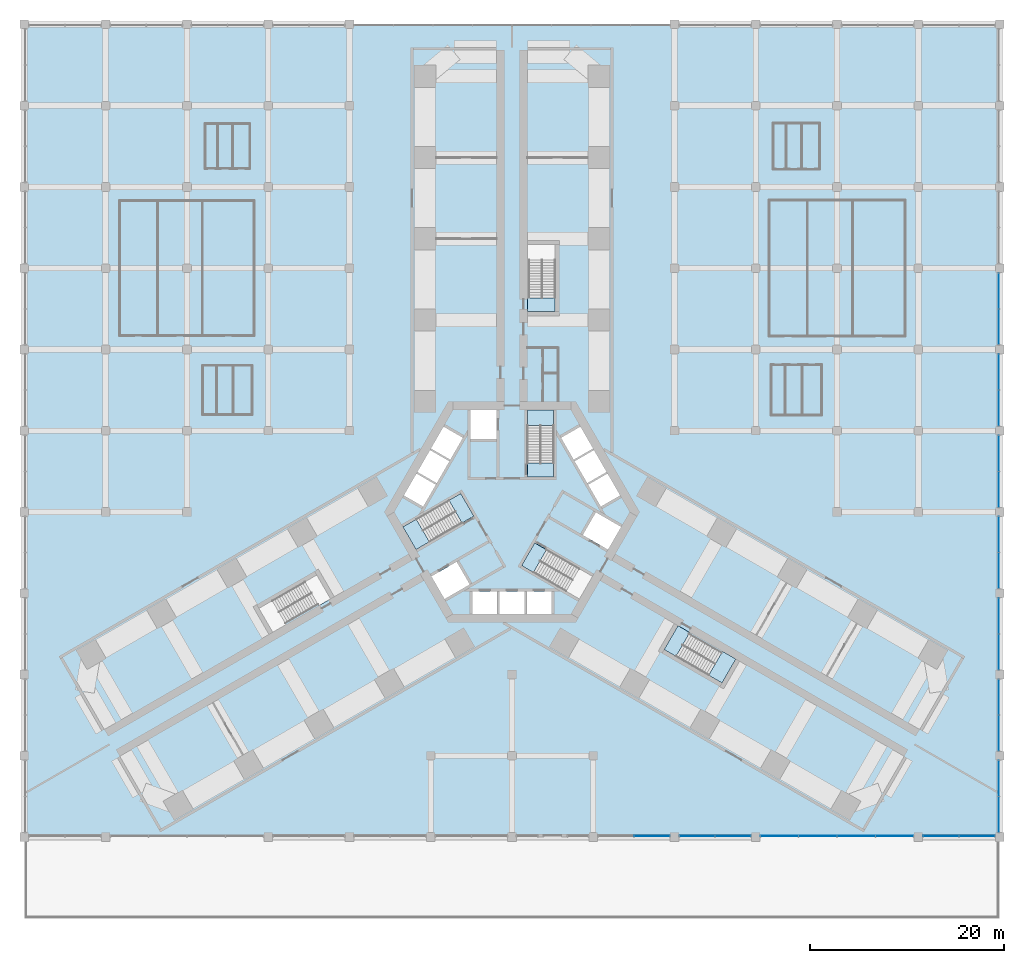
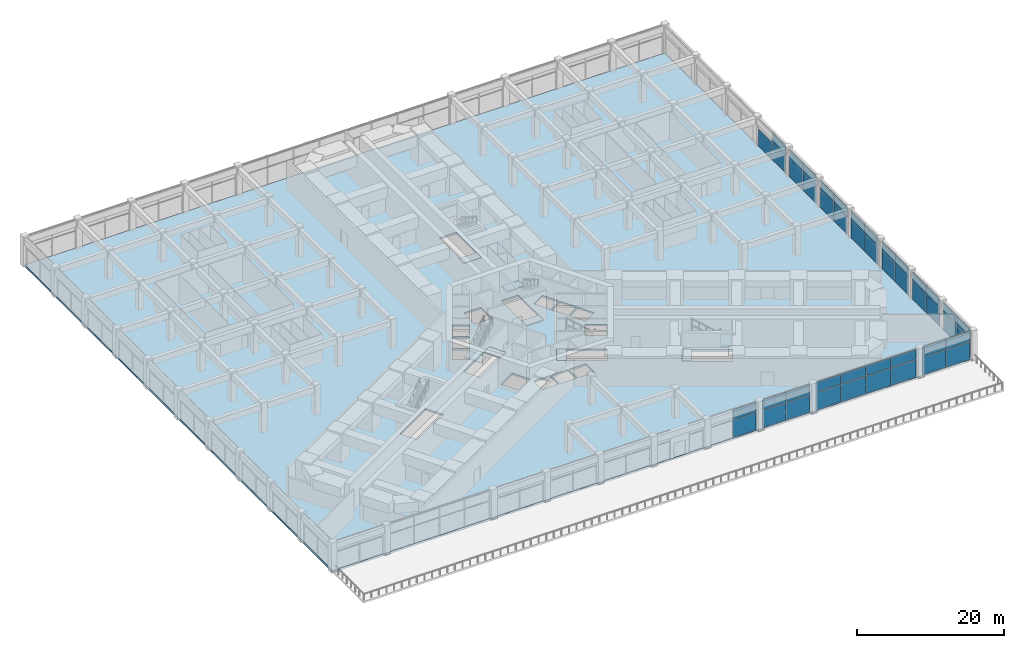
# One storey, part 25 of 36: 45 plates, 9 slabs, 16 elements without a shape of their own.
"""IFC4 building model written with IfcOpenShell, lengths in metres."""

from ifc_helpers import new_model, si_unit, direction, frame, origin, origin_2d, place, context, subcontext, project, spatial, polyline, rectangle, outline, extrude, material, layer, layer_set, type_object, element, aggregate, save


model = new_model("IFC4")

# Units and contexts
model_context = context("Model", 3, precision=1e-05, world=origin(), true_north=direction((0.0, 1.0)))
body_context = subcontext(model_context, "Body", "Model", "MODEL_VIEW")
ifc_project = project(units=[si_unit("LENGTHUNIT", "METRE"), si_unit("AREAUNIT", "SQUARE_METRE"), si_unit("VOLUMEUNIT", "CUBIC_METRE"), si_unit("PLANEANGLEUNIT", "RADIAN"), si_unit("MASSUNIT", "GRAM", prefix="KILO")], contexts=[model_context])

# Site, building, storey
site_placement = place(None, origin())
site = spatial("IfcSite", under=ifc_project, at=site_placement, CompositionType="ELEMENT")
building_placement = place(site_placement, origin())
building = spatial("IfcBuilding", under=site, at=building_placement, Name="Impinga Residences", CompositionType="ELEMENT")
storey_placement = place(building_placement, frame((0.0, 0.0, 6.0)))
storey = spatial("IfcBuildingStorey", under=building, at=storey_placement, Name="L01", CompositionType="ELEMENT", Elevation=6.0)

# Curtain wall, plates
ifc_material_1 = material(Name="Aluminium stick curtain wall", Category="aluminium")
curtain_wall_type = type_object("IfcCurtainWallType", Name="CW1 podium amenity curtain wall", PredefinedType="USERDEFINED", material=ifc_material_1)
curtain_wall_1_placement = place(storey_placement, origin())
curtain_wall_1 = element("IfcCurtainWall", 1, at=curtain_wall_1_placement, inside=storey, type_object=curtain_wall_type, Name="Curtain wall CW1 L01", ObjectType="STICK CURTAIN WALL", PredefinedType="USERDEFINED")
ifc_material_2 = material(Name="Clear double glazing", Category="glass")
ifc_layer_1 = layer(ifc_material_2, 0.028076171875)
ifc_layer_set_1 = layer_set([ifc_layer_1], Name="CW1-P clear double glazed panel 28")
plate_type = type_object("IfcPlateType", Name="CW1-P clear double glazed panel 28", PredefinedType="CURTAIN_PANEL", material=ifc_layer_set_1)
plate_1_placement = place(storey_placement, frame((50.300048828125, 22.8583984375, 0.06005859375), z_axis=(0.0, 0.0, 1.0), x_axis=(0.0, -1.0, 0.0)))
plate_1 = element("IfcPlate", 2, at=plate_1_placement, type_object=plate_type, Name="CW1 panel 1.1", PredefinedType="CURTAIN_PANEL", context=body_context, shape_type="SweptSolid", body=[
    extrude(rectangle(XDim=3.656982421875, YDim=0.028076171875, at=origin_2d()), origin(), (0.0, 0.0, 1.0), 2.909912109375),
])
plate_2_placement = place(storey_placement, frame((50.300048828125, 19.1416015625, 0.06005859375), z_axis=(0.0, 0.0, 1.0), x_axis=(0.0, -1.0, 0.0)))
plate_2 = element("IfcPlate", 3, at=plate_2_placement, type_object=plate_type, Name="CW1 panel 2.1", PredefinedType="CURTAIN_PANEL", context=body_context, shape_type="SweptSolid", body=[
    extrude(rectangle(XDim=3.656982421875, YDim=0.028076171875, at=origin_2d()), origin(), (0.0, 0.0, 1.0), 2.909912109375),
])
plate_3_placement = place(storey_placement, frame((50.300048828125, 19.1416015625, 3.02978515625), z_axis=(0.0, 0.0, 1.0), x_axis=(0.0, -1.0, 0.0)))
plate_3 = element("IfcPlate", 4, at=plate_3_placement, type_object=plate_type, Name="CW1 panel 2.2", PredefinedType="CURTAIN_PANEL", context=body_context, shape_type="SweptSolid", body=[
    extrude(rectangle(XDim=3.656982421875, YDim=0.028076171875, at=origin_2d()), origin(), (0.0, 0.0, 1.0), 1.610107421875),
])
aggregate(curtain_wall_1, [plate_1, plate_2, plate_3])

curtain_wall_2_placement = place(storey_placement, origin())
curtain_wall_2 = element("IfcCurtainWall", 5, at=curtain_wall_2_placement, inside=storey, type_object=curtain_wall_type, Name="Curtain wall CW1 L01", ObjectType="STICK CURTAIN WALL", PredefinedType="USERDEFINED")
plate_4_placement = place(storey_placement, frame((50.300048828125, 14.45849609375, 0.06005859375), z_axis=(0.0, 0.0, 1.0), x_axis=(0.0, -1.0, 0.0)))
plate_4 = element("IfcPlate", 6, at=plate_4_placement, type_object=plate_type, Name="CW1 panel 1.1", PredefinedType="CURTAIN_PANEL", context=body_context, shape_type="SweptSolid", body=[
    extrude(rectangle(XDim=3.656982421875, YDim=0.028076171875, at=origin_2d()), origin(), (0.0, 0.0, 1.0), 2.909912109375),
])
plate_5_placement = place(storey_placement, frame((50.300048828125, 14.45849609375, 3.02978515625), z_axis=(0.0, 0.0, 1.0), x_axis=(0.0, -1.0, 0.0)))
plate_5 = element("IfcPlate", 7, at=plate_5_placement, type_object=plate_type, Name="CW1 panel 1.2", PredefinedType="CURTAIN_PANEL", context=body_context, shape_type="SweptSolid", body=[
    extrude(rectangle(XDim=3.656982421875, YDim=0.028076171875, at=origin_2d()), origin(), (0.0, 0.0, 1.0), 1.610107421875),
])
plate_6_placement = place(storey_placement, frame((50.300048828125, 10.741455078125, 0.06005859375), z_axis=(0.0, 0.0, 1.0), x_axis=(0.0, -1.0, 0.0)))
plate_6 = element("IfcPlate", 8, at=plate_6_placement, type_object=plate_type, Name="CW1 panel 2.1", PredefinedType="CURTAIN_PANEL", context=body_context, shape_type="SweptSolid", body=[
    extrude(rectangle(XDim=3.656982421875, YDim=0.028076171875, at=origin_2d()), origin(), (0.0, 0.0, 1.0), 2.909912109375),
])
plate_7_placement = place(storey_placement, frame((50.300048828125, 10.741455078125, 3.02978515625), z_axis=(0.0, 0.0, 1.0), x_axis=(0.0, -1.0, 0.0)))
plate_7 = element("IfcPlate", 9, at=plate_7_placement, type_object=plate_type, Name="CW1 panel 2.2", PredefinedType="CURTAIN_PANEL", context=body_context, shape_type="SweptSolid", body=[
    extrude(rectangle(XDim=3.656982421875, YDim=0.028076171875, at=origin_2d()), origin(), (0.0, 0.0, 1.0), 1.610107421875),
])
aggregate(curtain_wall_2, [plate_4, plate_5, plate_6, plate_7])

curtain_wall_3_placement = place(storey_placement, origin())
curtain_wall_3 = element("IfcCurtainWall", 10, at=curtain_wall_3_placement, inside=storey, type_object=curtain_wall_type, Name="Curtain wall CW1 L01", ObjectType="STICK CURTAIN WALL", PredefinedType="USERDEFINED")
plate_8_placement = place(storey_placement, frame((50.300048828125, 6.05859375, 0.06005859375), z_axis=(0.0, 0.0, 1.0), x_axis=(0.0, -1.0, 0.0)))
plate_8 = element("IfcPlate", 11, at=plate_8_placement, type_object=plate_type, Name="CW1 panel 1.1", PredefinedType="CURTAIN_PANEL", context=body_context, shape_type="SweptSolid", body=[
    extrude(rectangle(XDim=3.656982421875, YDim=0.028076171875, at=origin_2d()), origin(), (0.0, 0.0, 1.0), 2.909912109375),
])
plate_9_placement = place(storey_placement, frame((50.300048828125, 6.05859375, 3.02978515625), z_axis=(0.0, 0.0, 1.0), x_axis=(0.0, -1.0, 0.0)))
plate_9 = element("IfcPlate", 12, at=plate_9_placement, type_object=plate_type, Name="CW1 panel 1.2", PredefinedType="CURTAIN_PANEL", context=body_context, shape_type="SweptSolid", body=[
    extrude(rectangle(XDim=3.656982421875, YDim=0.028076171875, at=origin_2d()), origin(), (0.0, 0.0, 1.0), 1.610107421875),
])
plate_10_placement = place(storey_placement, frame((50.300048828125, 2.341552734375, 0.06005859375), z_axis=(0.0, 0.0, 1.0), x_axis=(0.0, -1.0, 0.0)))
plate_10 = element("IfcPlate", 13, at=plate_10_placement, type_object=plate_type, Name="CW1 panel 2.1", PredefinedType="CURTAIN_PANEL", context=body_context, shape_type="SweptSolid", body=[
    extrude(rectangle(XDim=3.656982421875, YDim=0.028076171875, at=origin_2d()), origin(), (0.0, 0.0, 1.0), 2.909912109375),
])
plate_11_placement = place(storey_placement, frame((50.300048828125, 2.341552734375, 3.02978515625), z_axis=(0.0, 0.0, 1.0), x_axis=(0.0, -1.0, 0.0)))
plate_11 = element("IfcPlate", 14, at=plate_11_placement, type_object=plate_type, Name="CW1 panel 2.2", PredefinedType="CURTAIN_PANEL", context=body_context, shape_type="SweptSolid", body=[
    extrude(rectangle(XDim=3.656982421875, YDim=0.028076171875, at=origin_2d()), origin(), (0.0, 0.0, 1.0), 1.610107421875),
])
aggregate(curtain_wall_3, [plate_8, plate_9, plate_10, plate_11])

curtain_wall_4_placement = place(storey_placement, origin())
curtain_wall_4 = element("IfcCurtainWall", 15, at=curtain_wall_4_placement, inside=storey, type_object=curtain_wall_type, Name="Curtain wall CW1 L01", ObjectType="STICK CURTAIN WALL", PredefinedType="USERDEFINED")
plate_12_placement = place(storey_placement, frame((50.300048828125, -2.341552734375, 0.06005859375), z_axis=(0.0, 0.0, 1.0), x_axis=(0.0, -1.0, 0.0)))
plate_12 = element("IfcPlate", 16, at=plate_12_placement, type_object=plate_type, Name="CW1 panel 1.1", PredefinedType="CURTAIN_PANEL", context=body_context, shape_type="SweptSolid", body=[
    extrude(rectangle(XDim=3.656982421875, YDim=0.028076171875, at=origin_2d()), origin(), (0.0, 0.0, 1.0), 2.909912109375),
])
plate_13_placement = place(storey_placement, frame((50.300048828125, -2.341552734375, 3.02978515625), z_axis=(0.0, 0.0, 1.0), x_axis=(0.0, -1.0, 0.0)))
plate_13 = element("IfcPlate", 17, at=plate_13_placement, type_object=plate_type, Name="CW1 panel 1.2", PredefinedType="CURTAIN_PANEL", context=body_context, shape_type="SweptSolid", body=[
    extrude(rectangle(XDim=3.656982421875, YDim=0.028076171875, at=origin_2d()), origin(), (0.0, 0.0, 1.0), 1.610107421875),
])
plate_14_placement = place(storey_placement, frame((50.300048828125, -6.05859375, 0.06005859375), z_axis=(0.0, 0.0, 1.0), x_axis=(0.0, -1.0, 0.0)))
plate_14 = element("IfcPlate", 18, at=plate_14_placement, type_object=plate_type, Name="CW1 panel 2.1", PredefinedType="CURTAIN_PANEL", context=body_context, shape_type="SweptSolid", body=[
    extrude(rectangle(XDim=3.656982421875, YDim=0.028076171875, at=origin_2d()), origin(), (0.0, 0.0, 1.0), 2.909912109375),
])
plate_15_placement = place(storey_placement, frame((50.300048828125, -6.05859375, 3.02978515625), z_axis=(0.0, 0.0, 1.0), x_axis=(0.0, -1.0, 0.0)))
plate_15 = element("IfcPlate", 19, at=plate_15_placement, type_object=plate_type, Name="CW1 panel 2.2", PredefinedType="CURTAIN_PANEL", context=body_context, shape_type="SweptSolid", body=[
    extrude(rectangle(XDim=3.656982421875, YDim=0.028076171875, at=origin_2d()), origin(), (0.0, 0.0, 1.0), 1.610107421875),
])
aggregate(curtain_wall_4, [plate_12, plate_13, plate_14, plate_15])

curtain_wall_5_placement = place(storey_placement, origin())
curtain_wall_5 = element("IfcCurtainWall", 20, at=curtain_wall_5_placement, inside=storey, type_object=curtain_wall_type, Name="Curtain wall CW1 L01", ObjectType="STICK CURTAIN WALL", PredefinedType="USERDEFINED")
plate_16_placement = place(storey_placement, frame((50.300048828125, -10.741455078125, 0.06005859375), z_axis=(0.0, 0.0, 1.0), x_axis=(0.0, -1.0, 0.0)))
plate_16 = element("IfcPlate", 21, at=plate_16_placement, type_object=plate_type, Name="CW1 panel 1.1", PredefinedType="CURTAIN_PANEL", context=body_context, shape_type="SweptSolid", body=[
    extrude(rectangle(XDim=3.656982421875, YDim=0.028076171875, at=origin_2d()), origin(), (0.0, 0.0, 1.0), 2.909912109375),
])
plate_17_placement = place(storey_placement, frame((50.300048828125, -10.741455078125, 3.02978515625), z_axis=(0.0, 0.0, 1.0), x_axis=(0.0, -1.0, 0.0)))
plate_17 = element("IfcPlate", 22, at=plate_17_placement, type_object=plate_type, Name="CW1 panel 1.2", PredefinedType="CURTAIN_PANEL", context=body_context, shape_type="SweptSolid", body=[
    extrude(rectangle(XDim=3.656982421875, YDim=0.028076171875, at=origin_2d()), origin(), (0.0, 0.0, 1.0), 1.610107421875),
])
plate_18_placement = place(storey_placement, frame((50.300048828125, -14.45849609375, 0.06005859375), z_axis=(0.0, 0.0, 1.0), x_axis=(0.0, -1.0, 0.0)))
plate_18 = element("IfcPlate", 23, at=plate_18_placement, type_object=plate_type, Name="CW1 panel 2.1", PredefinedType="CURTAIN_PANEL", context=body_context, shape_type="SweptSolid", body=[
    extrude(rectangle(XDim=3.656982421875, YDim=0.028076171875, at=origin_2d()), origin(), (0.0, 0.0, 1.0), 2.909912109375),
])
plate_19_placement = place(storey_placement, frame((50.300048828125, -14.45849609375, 3.02978515625), z_axis=(0.0, 0.0, 1.0), x_axis=(0.0, -1.0, 0.0)))
plate_19 = element("IfcPlate", 24, at=plate_19_placement, type_object=plate_type, Name="CW1 panel 2.2", PredefinedType="CURTAIN_PANEL", context=body_context, shape_type="SweptSolid", body=[
    extrude(rectangle(XDim=3.656982421875, YDim=0.028076171875, at=origin_2d()), origin(), (0.0, 0.0, 1.0), 1.610107421875),
])
aggregate(curtain_wall_5, [plate_16, plate_17, plate_18, plate_19])

curtain_wall_6_placement = place(storey_placement, origin())
curtain_wall_6 = element("IfcCurtainWall", 25, at=curtain_wall_6_placement, inside=storey, type_object=curtain_wall_type, Name="Curtain wall CW1 L01", ObjectType="STICK CURTAIN WALL", PredefinedType="USERDEFINED")
plate_20_placement = place(storey_placement, frame((50.300048828125, -19.1416015625, 0.06005859375), z_axis=(0.0, 0.0, 1.0), x_axis=(0.0, -1.0, 0.0)))
plate_20 = element("IfcPlate", 26, at=plate_20_placement, type_object=plate_type, Name="CW1 panel 1.1", PredefinedType="CURTAIN_PANEL", context=body_context, shape_type="SweptSolid", body=[
    extrude(rectangle(XDim=3.656982421875, YDim=0.028076171875, at=origin_2d()), origin(), (0.0, 0.0, 1.0), 2.909912109375),
])
plate_21_placement = place(storey_placement, frame((50.300048828125, -19.1416015625, 3.02978515625), z_axis=(0.0, 0.0, 1.0), x_axis=(0.0, -1.0, 0.0)))
plate_21 = element("IfcPlate", 27, at=plate_21_placement, type_object=plate_type, Name="CW1 panel 1.2", PredefinedType="CURTAIN_PANEL", context=body_context, shape_type="SweptSolid", body=[
    extrude(rectangle(XDim=3.656982421875, YDim=0.028076171875, at=origin_2d()), origin(), (0.0, 0.0, 1.0), 1.610107421875),
])
plate_22_placement = place(storey_placement, frame((50.300048828125, -22.8583984375, 0.06005859375), z_axis=(0.0, 0.0, 1.0), x_axis=(0.0, -1.0, 0.0)))
plate_22 = element("IfcPlate", 28, at=plate_22_placement, type_object=plate_type, Name="CW1 panel 2.1", PredefinedType="CURTAIN_PANEL", context=body_context, shape_type="SweptSolid", body=[
    extrude(rectangle(XDim=3.656982421875, YDim=0.028076171875, at=origin_2d()), origin(), (0.0, 0.0, 1.0), 2.909912109375),
])
plate_23_placement = place(storey_placement, frame((50.300048828125, -22.8583984375, 3.02978515625), z_axis=(0.0, 0.0, 1.0), x_axis=(0.0, -1.0, 0.0)))
plate_23 = element("IfcPlate", 29, at=plate_23_placement, type_object=plate_type, Name="CW1 panel 2.2", PredefinedType="CURTAIN_PANEL", context=body_context, shape_type="SweptSolid", body=[
    extrude(rectangle(XDim=3.656982421875, YDim=0.028076171875, at=origin_2d()), origin(), (0.0, 0.0, 1.0), 1.610107421875),
])
aggregate(curtain_wall_6, [plate_20, plate_21, plate_22, plate_23])

curtain_wall_7_placement = place(storey_placement, origin())
curtain_wall_7 = element("IfcCurtainWall", 30, at=curtain_wall_7_placement, inside=storey, type_object=curtain_wall_type, Name="Curtain wall CW1 L01", ObjectType="STICK CURTAIN WALL", PredefinedType="USERDEFINED")
plate_24_placement = place(storey_placement, frame((50.300048828125, -27.54150390625, 0.06005859375), z_axis=(0.0, 0.0, 1.0), x_axis=(0.0, -1.0, 0.0)))
plate_24 = element("IfcPlate", 31, at=plate_24_placement, type_object=plate_type, Name="CW1 panel 1.1", PredefinedType="CURTAIN_PANEL", context=body_context, shape_type="SweptSolid", body=[
    extrude(rectangle(XDim=3.656982421875, YDim=0.028076171875, at=origin_2d()), origin(), (0.0, 0.0, 1.0), 2.909912109375),
])
plate_25_placement = place(storey_placement, frame((50.300048828125, -27.54150390625, 3.02978515625), z_axis=(0.0, 0.0, 1.0), x_axis=(0.0, -1.0, 0.0)))
plate_25 = element("IfcPlate", 32, at=plate_25_placement, type_object=plate_type, Name="CW1 panel 1.2", PredefinedType="CURTAIN_PANEL", context=body_context, shape_type="SweptSolid", body=[
    extrude(rectangle(XDim=3.656982421875, YDim=0.028076171875, at=origin_2d()), origin(), (0.0, 0.0, 1.0), 1.610107421875),
])
plate_26_placement = place(storey_placement, frame((50.300048828125, -31.258544921875, 0.06005859375), z_axis=(0.0, 0.0, 1.0), x_axis=(0.0, -1.0, 0.0)))
plate_26 = element("IfcPlate", 33, at=plate_26_placement, type_object=plate_type, Name="CW1 panel 2.1", PredefinedType="CURTAIN_PANEL", context=body_context, shape_type="SweptSolid", body=[
    extrude(rectangle(XDim=3.656982421875, YDim=0.028076171875, at=origin_2d()), origin(), (0.0, 0.0, 1.0), 2.909912109375),
])
plate_27_placement = place(storey_placement, frame((50.300048828125, -31.258544921875, 3.02978515625), z_axis=(0.0, 0.0, 1.0), x_axis=(0.0, -1.0, 0.0)))
plate_27 = element("IfcPlate", 34, at=plate_27_placement, type_object=plate_type, Name="CW1 panel 2.2", PredefinedType="CURTAIN_PANEL", context=body_context, shape_type="SweptSolid", body=[
    extrude(rectangle(XDim=3.656982421875, YDim=0.028076171875, at=origin_2d()), origin(), (0.0, 0.0, 1.0), 1.610107421875),
])
aggregate(curtain_wall_7, [plate_24, plate_25, plate_26, plate_27])

curtain_wall_8_placement = place(storey_placement, origin())
curtain_wall_8 = element("IfcCurtainWall", 35, at=curtain_wall_8_placement, inside=storey, type_object=curtain_wall_type, Name="Curtain wall CW1 L01", ObjectType="STICK CURTAIN WALL", PredefinedType="USERDEFINED")
plate_28_placement = place(storey_placement, frame((48.05859375, -33.5, 0.06005859375), z_axis=(0.0, 0.0, 1.0), x_axis=(-1.0, 0.0, 0.0)))
plate_28 = element("IfcPlate", 36, at=plate_28_placement, type_object=plate_type, Name="CW1 panel 1.1", PredefinedType="CURTAIN_PANEL", context=body_context, shape_type="SweptSolid", body=[
    extrude(rectangle(XDim=3.656982421875, YDim=0.028076171875, at=origin_2d()), origin(), (0.0, 0.0, 1.0), 2.909912109375),
])
plate_29_placement = place(storey_placement, frame((48.05859375, -33.5, 3.02978515625), z_axis=(0.0, 0.0, 1.0), x_axis=(-1.0, 0.0, 0.0)))
plate_29 = element("IfcPlate", 37, at=plate_29_placement, type_object=plate_type, Name="CW1 panel 1.2", PredefinedType="CURTAIN_PANEL", context=body_context, shape_type="SweptSolid", body=[
    extrude(rectangle(XDim=3.656982421875, YDim=0.028076171875, at=origin_2d()), origin(), (0.0, 0.0, 1.0), 1.610107421875),
])
plate_30_placement = place(storey_placement, frame((44.341552734375, -33.5, 0.06005859375), z_axis=(0.0, 0.0, 1.0), x_axis=(-1.0, 0.0, 0.0)))
plate_30 = element("IfcPlate", 38, at=plate_30_placement, type_object=plate_type, Name="CW1 panel 2.1", PredefinedType="CURTAIN_PANEL", context=body_context, shape_type="SweptSolid", body=[
    extrude(rectangle(XDim=3.656982421875, YDim=0.028076171875, at=origin_2d()), origin(), (0.0, 0.0, 1.0), 2.909912109375),
])
plate_31_placement = place(storey_placement, frame((44.341552734375, -33.5, 3.02978515625), z_axis=(0.0, 0.0, 1.0), x_axis=(-1.0, 0.0, 0.0)))
plate_31 = element("IfcPlate", 39, at=plate_31_placement, type_object=plate_type, Name="CW1 panel 2.2", PredefinedType="CURTAIN_PANEL", context=body_context, shape_type="SweptSolid", body=[
    extrude(rectangle(XDim=3.656982421875, YDim=0.028076171875, at=origin_2d()), origin(), (0.0, 0.0, 1.0), 1.610107421875),
])
aggregate(curtain_wall_8, [plate_28, plate_29, plate_30, plate_31])

curtain_wall_9_placement = place(storey_placement, origin())
curtain_wall_9 = element("IfcCurtainWall", 40, at=curtain_wall_9_placement, inside=storey, type_object=curtain_wall_type, Name="Curtain wall CW1 L01", ObjectType="STICK CURTAIN WALL", PredefinedType="USERDEFINED")
plate_32_placement = place(storey_placement, frame((39.545166015625, -33.5, 0.06005859375), z_axis=(0.0, 0.0, 1.0), x_axis=(-1.0, 0.0, 0.0)))
plate_32 = element("IfcPlate", 41, at=plate_32_placement, type_object=plate_type, Name="CW1 panel 1.1", PredefinedType="CURTAIN_PANEL", context=body_context, shape_type="SweptSolid", body=[
    extrude(rectangle(XDim=3.883544921875, YDim=0.028076171875, at=origin_2d()), origin(), (0.0, 0.0, 1.0), 2.909912109375),
])
plate_33_placement = place(storey_placement, frame((39.545166015625, -33.5, 3.02978515625), z_axis=(0.0, 0.0, 1.0), x_axis=(-1.0, 0.0, 0.0)))
plate_33 = element("IfcPlate", 42, at=plate_33_placement, type_object=plate_type, Name="CW1 panel 1.2", PredefinedType="CURTAIN_PANEL", context=body_context, shape_type="SweptSolid", body=[
    extrude(rectangle(XDim=3.883544921875, YDim=0.028076171875, at=origin_2d()), origin(), (0.0, 0.0, 1.0), 1.610107421875),
])
plate_34_placement = place(storey_placement, frame((35.586669921875, -33.5, 0.06005859375), z_axis=(0.0, 0.0, 1.0), x_axis=(-1.0, 0.0, 0.0)))
plate_34 = element("IfcPlate", 43, at=plate_34_placement, type_object=plate_type, Name="CW1 panel 2.1", PredefinedType="CURTAIN_PANEL", context=body_context, shape_type="SweptSolid", body=[
    extrude(rectangle(XDim=3.91357421875, YDim=0.028076171875, at=origin_2d()), origin(), (0.0, 0.0, 1.0), 2.909912109375),
])
plate_35_placement = place(storey_placement, frame((35.586669921875, -33.5, 3.02978515625), z_axis=(0.0, 0.0, 1.0), x_axis=(-1.0, 0.0, 0.0)))
plate_35 = element("IfcPlate", 44, at=plate_35_placement, type_object=plate_type, Name="CW1 panel 2.2", PredefinedType="CURTAIN_PANEL", context=body_context, shape_type="SweptSolid", body=[
    extrude(rectangle(XDim=3.91357421875, YDim=0.028076171875, at=origin_2d()), origin(), (0.0, 0.0, 1.0), 1.610107421875),
])
plate_36_placement = place(storey_placement, frame((31.61328125, -33.5, 0.06005859375), z_axis=(0.0, 0.0, 1.0), x_axis=(-1.0, 0.0, 0.0)))
plate_36 = element("IfcPlate", 45, at=plate_36_placement, type_object=plate_type, Name="CW1 panel 3.1", PredefinedType="CURTAIN_PANEL", context=body_context, shape_type="SweptSolid", body=[
    extrude(rectangle(XDim=3.91357421875, YDim=0.028076171875, at=origin_2d()), origin(), (0.0, 0.0, 1.0), 2.909912109375),
])
plate_37_placement = place(storey_placement, frame((31.61328125, -33.5, 3.02978515625), z_axis=(0.0, 0.0, 1.0), x_axis=(-1.0, 0.0, 0.0)))
plate_37 = element("IfcPlate", 46, at=plate_37_placement, type_object=plate_type, Name="CW1 panel 3.2", PredefinedType="CURTAIN_PANEL", context=body_context, shape_type="SweptSolid", body=[
    extrude(rectangle(XDim=3.91357421875, YDim=0.028076171875, at=origin_2d()), origin(), (0.0, 0.0, 1.0), 1.610107421875),
])
plate_38_placement = place(storey_placement, frame((27.65478515625, -33.5, 0.06005859375), z_axis=(0.0, 0.0, 1.0), x_axis=(-1.0, 0.0, 0.0)))
plate_38 = element("IfcPlate", 47, at=plate_38_placement, type_object=plate_type, Name="CW1 panel 4.1", PredefinedType="CURTAIN_PANEL", context=body_context, shape_type="SweptSolid", body=[
    extrude(rectangle(XDim=3.883544921875, YDim=0.028076171875, at=origin_2d()), origin(), (0.0, 0.0, 1.0), 2.909912109375),
])
plate_39_placement = place(storey_placement, frame((27.65478515625, -33.5, 3.02978515625), z_axis=(0.0, 0.0, 1.0), x_axis=(-1.0, 0.0, 0.0)))
plate_39 = element("IfcPlate", 48, at=plate_39_placement, type_object=plate_type, Name="CW1 panel 4.2", PredefinedType="CURTAIN_PANEL", context=body_context, shape_type="SweptSolid", body=[
    extrude(rectangle(XDim=3.883544921875, YDim=0.028076171875, at=origin_2d()), origin(), (0.0, 0.0, 1.0), 1.610107421875),
])
aggregate(curtain_wall_9, [plate_32, plate_33, plate_34, plate_35, plate_36, plate_37, plate_38, plate_39])

curtain_wall_10_placement = place(storey_placement, origin())
curtain_wall_10 = element("IfcCurtainWall", 49, at=curtain_wall_10_placement, inside=storey, type_object=curtain_wall_type, Name="Curtain wall CW1 L01", ObjectType="STICK CURTAIN WALL", PredefinedType="USERDEFINED")
plate_40_placement = place(storey_placement, frame((22.8583984375, -33.5, 0.06005859375), z_axis=(0.0, 0.0, 1.0), x_axis=(-1.0, 0.0, 0.0)))
plate_40 = element("IfcPlate", 50, at=plate_40_placement, type_object=plate_type, Name="CW1 panel 1.1", PredefinedType="CURTAIN_PANEL", context=body_context, shape_type="SweptSolid", body=[
    extrude(rectangle(XDim=3.656982421875, YDim=0.028076171875, at=origin_2d()), origin(), (0.0, 0.0, 1.0), 2.909912109375),
])
plate_41_placement = place(storey_placement, frame((22.8583984375, -33.5, 3.02978515625), z_axis=(0.0, 0.0, 1.0), x_axis=(-1.0, 0.0, 0.0)))
plate_41 = element("IfcPlate", 51, at=plate_41_placement, type_object=plate_type, Name="CW1 panel 1.2", PredefinedType="CURTAIN_PANEL", context=body_context, shape_type="SweptSolid", body=[
    extrude(rectangle(XDim=3.656982421875, YDim=0.028076171875, at=origin_2d()), origin(), (0.0, 0.0, 1.0), 1.610107421875),
])
plate_42_placement = place(storey_placement, frame((19.1416015625, -33.5, 0.06005859375), z_axis=(0.0, 0.0, 1.0), x_axis=(-1.0, 0.0, 0.0)))
plate_42 = element("IfcPlate", 52, at=plate_42_placement, type_object=plate_type, Name="CW1 panel 2.1", PredefinedType="CURTAIN_PANEL", context=body_context, shape_type="SweptSolid", body=[
    extrude(rectangle(XDim=3.656982421875, YDim=0.028076171875, at=origin_2d()), origin(), (0.0, 0.0, 1.0), 2.909912109375),
])
plate_43_placement = place(storey_placement, frame((19.1416015625, -33.5, 3.02978515625), z_axis=(0.0, 0.0, 1.0), x_axis=(-1.0, 0.0, 0.0)))
plate_43 = element("IfcPlate", 53, at=plate_43_placement, type_object=plate_type, Name="CW1 panel 2.2", PredefinedType="CURTAIN_PANEL", context=body_context, shape_type="SweptSolid", body=[
    extrude(rectangle(XDim=3.656982421875, YDim=0.028076171875, at=origin_2d()), origin(), (0.0, 0.0, 1.0), 1.610107421875),
])
aggregate(curtain_wall_10, [plate_40, plate_41, plate_42, plate_43])

curtain_wall_11_placement = place(storey_placement, origin())
curtain_wall_11 = element("IfcCurtainWall", 54, at=curtain_wall_11_placement, inside=storey, type_object=curtain_wall_type, Name="Curtain wall CW1 L01", ObjectType="STICK CURTAIN WALL", PredefinedType="USERDEFINED")
plate_44_placement = place(storey_placement, frame((14.45849609375, -33.5, 0.06005859375), z_axis=(0.0, 0.0, 1.0), x_axis=(-1.0, 0.0, 0.0)))
plate_44 = element("IfcPlate", 55, at=plate_44_placement, type_object=plate_type, Name="CW1 panel 1.1", PredefinedType="CURTAIN_PANEL", context=body_context, shape_type="SweptSolid", body=[
    extrude(rectangle(XDim=3.656982421875, YDim=0.028076171875, at=origin_2d()), origin(), (0.0, 0.0, 1.0), 2.909912109375),
])
plate_45_placement = place(storey_placement, frame((14.45849609375, -33.5, 3.02978515625), z_axis=(0.0, 0.0, 1.0), x_axis=(-1.0, 0.0, 0.0)))
plate_45 = element("IfcPlate", 56, at=plate_45_placement, type_object=plate_type, Name="CW1 panel 1.2", PredefinedType="CURTAIN_PANEL", context=body_context, shape_type="SweptSolid", body=[
    extrude(rectangle(XDim=3.656982421875, YDim=0.028076171875, at=origin_2d()), origin(), (0.0, 0.0, 1.0), 1.610107421875),
])
aggregate(curtain_wall_11, [plate_44, plate_45])

# Slab
ifc_material_3 = material(Name="Concrete C60/75", Category="concrete")
ifc_layer_2 = layer(ifc_material_3, 0.300048828125)
ifc_layer_set_2 = layer_set([ifc_layer_2], Name="Concrete C60/75")
slab_type_1 = type_object("IfcSlabType", Name="FS2 podium, plant and crown floor slab 300", PredefinedType="FLOOR", material=ifc_layer_set_2)
slab_1_placement = place(storey_placement, frame((0.0, 0.0, -0.300048828125)))
element("IfcSlab", 57, at=slab_1_placement, inside=storey, type_object=slab_type_1, Name="Floor slab FS2 L01", PredefinedType="FLOOR", context=body_context, shape_type="SweptSolid", body=[
    extrude(outline(polyline([(-50.39990234375, 50.39990234375), (50.39990234375, 50.39990234375), (50.39990234375, -33.60009765625), (-50.39990234375, -33.60009765625), (-50.39990234375, 50.39990234375)]), holes=[polyline([(-21.391357421875, -7.2119140625), (-26.154541015625, -9.9619140625), (-24.8046875, -12.30029296875), (-20.04150390625, -9.55029296875), (-19.966552734375, -9.68017578125), (-18.754150390625, -8.980224609375), (-18.8291015625, -8.850341796875), (-18.8291015625, -8.850341796875), (-20.178955078125, -6.511962890625), (-21.391357421875, -7.2119140625), (-21.391357421875, -7.2119140625)]), polyline([(-1.5, -8.2314453125), (-4.10009765625, -8.2314453125), (-4.10009765625, -10.531494140625), (-1.5, -10.531494140625), (-1.5, -8.2314453125)]), polyline([(1.300048828125, -8.2314453125), (-1.300048828125, -8.2314453125), (-1.300048828125, -10.531494140625), (1.300048828125, -10.531494140625), (1.300048828125, -8.2314453125)]), polyline([(1.5, -8.2314453125), (1.5, -10.531494140625), (4.10009765625, -10.531494140625), (4.10009765625, -8.2314453125), (1.5, -8.2314453125)]), polyline([(-5.72119140625, -5.150634765625), (-8.320556640625, -6.6513671875), (-6.970458984375, -8.98974609375), (-4.37109375, -7.489013671875), (-5.72119140625, -5.150634765625)]), polyline([(-3.943603515625, -0.429443359375), (-5.293701171875, 1.908935546875), (-11.2705078125, -1.541748046875), (-9.920654296875, -3.880126953125), (-3.943603515625, -0.429443359375)]), polyline([(-9.1787109375, 0.56494140625), (-7.878662109375, 2.816650390625), (-9.87060546875, 3.966796875), (-11.170654296875, 1.715087890625), (-9.1787109375, 0.56494140625)]), polyline([(-6.478759765625, 5.24169921875), (-8.470458984375, 6.3916015625), (-9.7705078125, 4.139892578125), (-7.77880859375, 2.989990234375), (-6.478759765625, 5.24169921875)]), polyline([(-6.378662109375, 5.414794921875), (-5.07861328125, 7.66650390625), (-7.070556640625, 8.81640625), (-8.37060546875, 6.564697265625), (-6.378662109375, 5.414794921875)]), polyline([(-4.300048828125, 7.530029296875), (-1.60009765625, 7.530029296875), (-1.60009765625, 10.531494140625), (-4.300048828125, 10.531494140625), (-4.300048828125, 7.530029296875)]), polyline([(15.72900390625, -14.219482421875), (21.70458984375, -17.669677734375), (23.0546875, -15.331298828125), (18.29150390625, -12.581298828125), (18.366455078125, -12.451416015625), (17.154052734375, -11.75146484375), (15.72900390625, -14.219482421875)]), polyline([(0.99365234375, -5.538818359375), (6.970458984375, -8.98974609375), (8.320556640625, -6.6513671875), (2.34375, -3.20068359375), (0.99365234375, -5.538818359375)]), polyline([(8.671142578125, -0.041015625), (7.3212890625, -2.37939453125), (9.920654296875, -3.880126953125), (11.2705078125, -1.541748046875), (8.671142578125, -0.041015625)]), polyline([(7.878662109375, 2.816650390625), (9.1787109375, 0.56494140625), (11.170654296875, 1.715087890625), (9.87060546875, 3.966796875), (7.878662109375, 2.816650390625)]), polyline([(7.77880859375, 2.989990234375), (9.7705078125, 4.139892578125), (8.470458984375, 6.3916015625), (6.478759765625, 5.24169921875), (7.77880859375, 2.989990234375)]), polyline([(1.60009765625, 3.6298828125), (4.300048828125, 3.6298828125), (4.300048828125, 10.531494140625), (1.60009765625, 10.531494140625), (1.60009765625, 3.6298828125)]), polyline([(5.07861328125, 7.66650390625), (6.378662109375, 5.414794921875), (8.37060546875, 6.564697265625), (7.070556640625, 8.81640625), (5.07861328125, 7.66650390625)]), polyline([(1.75, 22.131591796875), (1.60009765625, 22.131591796875), (1.60009765625, 20.7314453125), (1.75, 20.7314453125), (4.449951171875, 20.7314453125), (4.449951171875, 22.131591796875), (4.449951171875, 27.631591796875), (1.75, 27.631591796875), (1.75, 22.131591796875)])]), origin(), (0.0, 0.0, 1.0), 0.300048828125),
])

# Stair, slabs
ifc_material_4 = material(Name="Concrete C40/50", Category="concrete")
stair_type_1 = type_object("IfcStairType", Name="STR core stair 5000 storey, 30 risers", PredefinedType="HALF_TURN_STAIR", material=ifc_material_4)
stair_1_placement = place(storey_placement, origin())
stair_1 = element("IfcStair", 58, at=stair_1_placement, inside=storey, type_object=stair_type_1, Name="Stair ST1 L01", PredefinedType="HALF_TURN_STAIR")
ifc_layer_3 = layer(ifc_material_4, 0.199951171875)
ifc_layer_set_3 = layer_set([ifc_layer_3], Name="Concrete C40/50")
slab_type_2 = type_object("IfcSlabType", Name="LS1 stair landing 200", PredefinedType="LANDING", material=ifc_layer_set_3)
slab_2_placement = place(storey_placement, frame((0.0, 0.0, -0.199951171875)))
slab_2 = element("IfcSlab", 59, at=slab_2_placement, type_object=slab_type_2, Name="ST1 landing 1", PredefinedType="LANDING", context=body_context, shape_type="SweptSolid", body=[
    extrude(outline(polyline([(1.60009765625, 3.6298828125), (4.300048828125, 3.6298828125), (4.300048828125, 5.0400390625), (1.60009765625, 5.0400390625), (1.60009765625, 3.6298828125)])), origin(), (0.0, 0.0, 1.0), 0.199951171875),
])
slab_3_placement = place(storey_placement, frame((0.0, 0.0, 2.300048828125)))
slab_3 = element("IfcSlab", 60, at=slab_3_placement, type_object=slab_type_2, Name="ST1 landing 2", PredefinedType="LANDING", context=body_context, shape_type="SweptSolid", body=[
    extrude(outline(polyline([(1.60009765625, 8.93994140625), (4.300048828125, 8.93994140625), (4.300048828125, 10.531494140625), (1.60009765625, 10.531494140625), (1.60009765625, 8.93994140625)])), origin(), (0.0, 0.0, 1.0), 0.199951171875),
])
aggregate(stair_1, [slab_2, slab_3])

stair_2_placement = place(storey_placement, origin())
stair_2 = element("IfcStair", 61, at=stair_2_placement, inside=storey, type_object=stair_type_1, Name="Stair ST2 L01", PredefinedType="HALF_TURN_STAIR")
slab_4_placement = place(storey_placement, frame((0.0, 0.0, -0.199951171875)))
slab_4 = element("IfcSlab", 62, at=slab_4_placement, type_object=slab_type_2, Name="ST2 landing 1", PredefinedType="LANDING", context=body_context, shape_type="SweptSolid", body=[
    extrude(outline(polyline([(-3.943603515625, -0.429443359375), (-5.293701171875, 1.908935546875), (-6.5146484375, 1.203857421875), (-5.164794921875, -1.13427734375), (-3.943603515625, -0.429443359375)])), origin(), (0.0, 0.0, 1.0), 0.199951171875),
])
slab_5_placement = place(storey_placement, frame((0.0, 0.0, 2.300048828125)))
slab_5 = element("IfcSlab", 63, at=slab_5_placement, type_object=slab_type_2, Name="ST2 landing 2", PredefinedType="LANDING", context=body_context, shape_type="SweptSolid", body=[
    extrude(outline(polyline([(-8.542236328125, -3.08447265625), (-9.892333984375, -0.74609375), (-11.2705078125, -1.541748046875), (-9.920654296875, -3.880126953125), (-8.542236328125, -3.08447265625)])), origin(), (0.0, 0.0, 1.0), 0.199951171875),
])
aggregate(stair_2, [slab_4, slab_5])

# Stair, slab
stair_3_placement = place(storey_placement, origin())
stair_3 = element("IfcStair", 64, at=stair_3_placement, inside=storey, type_object=stair_type_1, Name="Stair ST3 L01", PredefinedType="HALF_TURN_STAIR")
slab_6_placement = place(storey_placement, frame((0.0, 0.0, -0.199951171875)))
slab_6 = element("IfcSlab", 65, at=slab_6_placement, type_object=slab_type_2, Name="ST3 landing 1", PredefinedType="LANDING", context=body_context, shape_type="SweptSolid", body=[
    extrude(outline(polyline([(2.34375, -3.20068359375), (0.99365234375, -5.538818359375), (2.21484375, -6.243896484375), (3.564697265625, -3.90576171875), (2.34375, -3.20068359375)])), origin(), (0.0, 0.0, 1.0), 0.199951171875),
])
aggregate(stair_3, [slab_6])

stair_type_2 = type_object("IfcStairType", Name="STR wing stair 5000 storey, 30 risers", PredefinedType="HALF_TURN_STAIR", material=ifc_material_4)
stair_4_placement = place(storey_placement, origin())
stair_4 = element("IfcStair", 66, at=stair_4_placement, inside=storey, type_object=stair_type_2, Name="Stair WS1 L01", PredefinedType="HALF_TURN_STAIR")
slab_7_placement = place(storey_placement, frame((0.0, 0.0, -0.199951171875)))
slab_7 = element("IfcSlab", 67, at=slab_7_placement, type_object=slab_type_2, Name="WS1 landing 1", PredefinedType="LANDING", context=body_context, shape_type="SweptSolid", body=[
    extrude(outline(polyline([(1.60009765625, 20.7314453125), (4.449951171875, 20.7314453125), (4.449951171875, 22.1416015625), (1.60009765625, 22.1416015625), (1.60009765625, 20.7314453125)])), origin(), (0.0, 0.0, 1.0), 0.199951171875),
])
aggregate(stair_4, [slab_7])

# Stair, slabs
stair_5_placement = place(storey_placement, origin())
stair_5 = element("IfcStair", 68, at=stair_5_placement, inside=storey, type_object=stair_type_2, Name="Stair WS3 L01", PredefinedType="HALF_TURN_STAIR")
slab_8_placement = place(storey_placement, frame((0.0, 0.0, -0.199951171875)))
slab_8 = element("IfcSlab", 69, at=slab_8_placement, type_object=slab_type_2, Name="WS3 landing 1", PredefinedType="LANDING", context=body_context, shape_type="SweptSolid", body=[
    extrude(outline(polyline([(17.154052734375, -11.75146484375), (15.72900390625, -14.219482421875), (16.9501953125, -14.924560546875), (18.375244140625, -12.456298828125), (17.154052734375, -11.75146484375)])), origin(), (0.0, 0.0, 1.0), 0.199951171875),
])
slab_9_placement = place(storey_placement, frame((0.0, 0.0, 2.300048828125)))
slab_9 = element("IfcSlab", 70, at=slab_9_placement, type_object=slab_type_2, Name="WS3 landing 2", PredefinedType="LANDING", context=body_context, shape_type="SweptSolid", body=[
    extrude(outline(polyline([(21.752685546875, -14.406494140625), (20.32763671875, -16.87451171875), (21.70458984375, -17.669677734375), (23.129638671875, -15.201416015625), (21.752685546875, -14.406494140625)])), origin(), (0.0, 0.0, 1.0), 0.199951171875),
])
aggregate(stair_5, [slab_8, slab_9])

save(model, "model.ifc")
